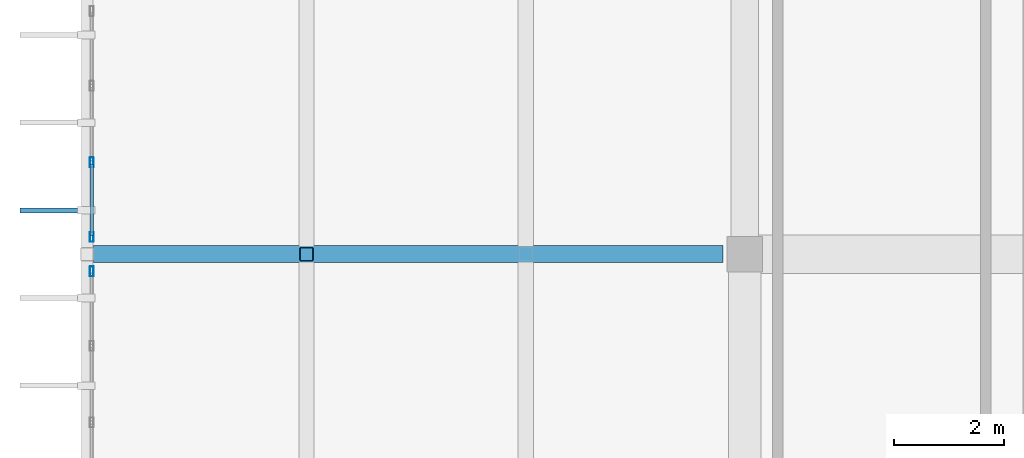
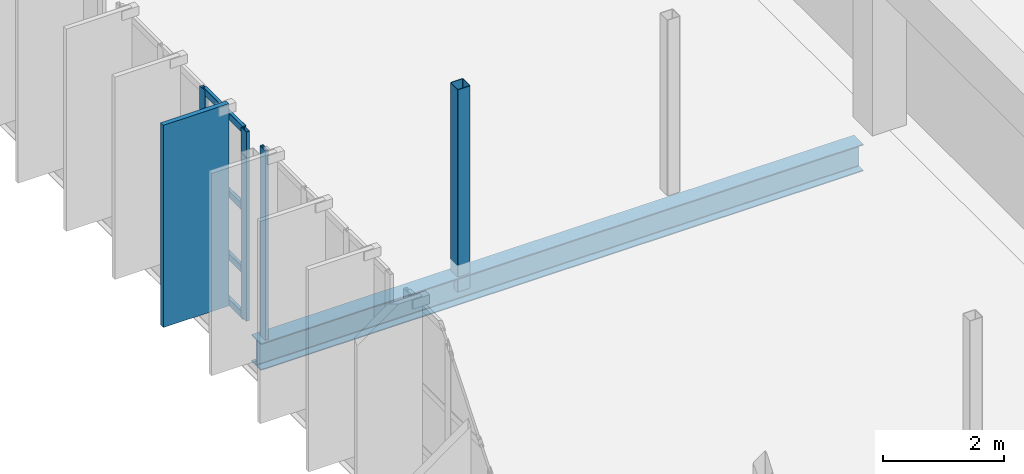
# One storey, part 25 of 80: 9 members, 1 beam, 2 elements without a shape of their own.
"""IFC4 building model written with IfcOpenShell, lengths in metres."""

from ifc_helpers import new_model, si_unit, direction, frame, origin, origin_2d, place, context, subcontext, project, spatial, rectangle, hollow_rectangle, i_section, extrude, material, material_profile, profile_set, type_object, element, aggregate, save


model = new_model("IFC4")

# Units and contexts
model_context = context("Model", 3, precision=1e-05, world=origin(), true_north=direction((0.0, 1.0)))
body_context = subcontext(model_context, "Body", "Model", "MODEL_VIEW")
ifc_project = project(units=[si_unit("LENGTHUNIT", "METRE"), si_unit("AREAUNIT", "SQUARE_METRE"), si_unit("VOLUMEUNIT", "CUBIC_METRE"), si_unit("PLANEANGLEUNIT", "RADIAN"), si_unit("MASSUNIT", "GRAM", prefix="KILO")], contexts=[model_context])

# Site, building, storey
site_placement = place(None, origin())
site = spatial("IfcSite", under=ifc_project, at=site_placement, CompositionType="ELEMENT")
building_placement = place(site_placement, origin())
building = spatial("IfcBuilding", under=site, at=building_placement, Name="Miravela Opera House", CompositionType="ELEMENT")
storey_placement = place(building_placement, frame((0.0, 0.0, 17.679931640625)))
storey = spatial("IfcBuildingStorey", under=building, at=storey_placement, Name="L04", CompositionType="ELEMENT", Elevation=17.679931640625)

# Curtain wall, member
ifc_material_1 = material(Name="Anodised architectural bronze aluminium 6063-T6", Category="aluminium")
curtain_wall_type = type_object("IfcCurtainWallType", Name="ARC-CW-02", PredefinedType="NOTDEFINED", material=ifc_material_1)
curtain_wall_1_placement = place(storey_placement, origin())
curtain_wall_1 = element("IfcCurtainWall", 1, at=curtain_wall_1_placement, inside=storey, type_object=curtain_wall_type, Name="Cantilever West Wrapper Glazing B4 CW-L04-030", PredefinedType="NOTDEFINED")
ifc_material_profile_1 = material_profile(ifc_material_1, hollow_rectangle(XDim=0.06494140625, YDim=0.179931640625, WallThickness=0.00390625, InnerFilletRadius=0.001953125, OuterFilletRadius=0.00390625, at=origin_2d()), Name="CWM-65X180")
ifc_profile_set_1 = profile_set([ifc_material_profile_1])
member_type_1 = type_object("IfcMemberType", Name="ARC-CWM-180", PredefinedType="MULLION", material=ifc_profile_set_1)
member_1_placement = place(storey_placement, frame((15.080078125, 55.6875, 0.0), z_axis=(0.0, 0.0, 1.0), x_axis=(-1.0, 0.0, 0.0)))
member_1 = element("IfcMember", 2, at=member_1_placement, type_object=member_type_1, Name="CW-02 mullion 4", PredefinedType="MULLION", context=body_context, shape_type="SweptSolid", body=[
    extrude(hollow_rectangle(XDim=0.06494140625, YDim=0.179931640625, WallThickness=0.00390625, InnerFilletRadius=0.001953125, OuterFilletRadius=0.00390625, at=origin_2d()), origin(), (0.0, 0.0, 1.0), 3.820068359375),
])
aggregate(curtain_wall_1, [member_1])

# Curtain wall, members
curtain_wall_2_placement = place(storey_placement, origin())
curtain_wall_2 = element("IfcCurtainWall", 3, at=curtain_wall_2_placement, inside=storey, type_object=curtain_wall_type, Name="Cantilever West Wrapper Glazing B5 CW-L04-031", PredefinedType="NOTDEFINED")
member_2_placement = place(storey_placement, frame((15.080078125, 56.3125, 0.0), z_axis=(0.0, 0.0, 1.0), x_axis=(-1.0, 0.0, 0.0)))
member_2 = element("IfcMember", 4, at=member_2_placement, type_object=member_type_1, Name="CW-02 mullion 1", PredefinedType="MULLION", context=body_context, shape_type="SweptSolid", body=[
    extrude(hollow_rectangle(XDim=0.06494140625, YDim=0.179931640625, WallThickness=0.00390625, InnerFilletRadius=0.001953125, OuterFilletRadius=0.00390625, at=origin_2d()), origin(), (0.0, 0.0, 1.0), 3.820068359375),
])
member_3_placement = place(storey_placement, frame((15.080078125, 57.6767578125, 0.0), z_axis=(0.0, 0.0, 1.0), x_axis=(-1.0, 0.0, 0.0)))
member_3 = element("IfcMember", 5, at=member_3_placement, type_object=member_type_1, Name="CW-02 mullion 2", PredefinedType="MULLION", context=body_context, shape_type="SweptSolid", body=[
    extrude(hollow_rectangle(XDim=0.06494140625, YDim=0.179931640625, WallThickness=0.00390625, InnerFilletRadius=0.001953125, OuterFilletRadius=0.00390625, at=origin_2d()), origin(), (0.0, 0.0, 1.0), 3.820068359375),
])
ifc_material_profile_2 = material_profile(ifc_material_1, hollow_rectangle(XDim=0.06494140625, YDim=0.139892578125, WallThickness=0.00390625, InnerFilletRadius=0.001953125, OuterFilletRadius=0.00390625, at=origin_2d()), Name="CWT-65X140")
ifc_profile_set_2 = profile_set([ifc_material_profile_2])
member_type_2 = type_object("IfcMemberType", Name="ARC-CWT-140", PredefinedType="USERDEFINED", material=ifc_profile_set_2)
member_4_placement = place(storey_placement, frame((15.080078125, 56.344970703125, 0.032470703125), z_axis=(0.0, 1.0, 0.0), x_axis=(-1.0, 0.0, 0.0)))
member_4 = element("IfcMember", 6, at=member_4_placement, type_object=member_type_2, Name="CW-02 transom 1.1", ObjectType="TRANSOM", PredefinedType="USERDEFINED", context=body_context, shape_type="SweptSolid", body=[
    extrude(hollow_rectangle(XDim=0.06494140625, YDim=0.139892578125, WallThickness=0.00390625, InnerFilletRadius=0.001953125, OuterFilletRadius=0.00390625, at=origin_2d()), origin(), (0.0, 0.0, 1.0), 1.29931640625),
])
member_5_placement = place(storey_placement, frame((15.080078125, 56.344970703125, 0.949951171875), z_axis=(0.0, 1.0, 0.0), x_axis=(-1.0, 0.0, 0.0)))
member_5 = element("IfcMember", 7, at=member_5_placement, type_object=member_type_2, Name="CW-02 transom 1.2", ObjectType="TRANSOM", PredefinedType="USERDEFINED", context=body_context, shape_type="SweptSolid", body=[
    extrude(hollow_rectangle(XDim=0.06494140625, YDim=0.139892578125, WallThickness=0.00390625, InnerFilletRadius=0.001953125, OuterFilletRadius=0.00390625, at=origin_2d()), origin(), (0.0, 0.0, 1.0), 1.29931640625),
])
member_6_placement = place(storey_placement, frame((15.080078125, 56.344970703125, 2.215576171875), z_axis=(0.0, 1.0, 0.0), x_axis=(-1.0, 0.0, 0.0)))
member_6 = element("IfcMember", 8, at=member_6_placement, type_object=member_type_2, Name="CW-02 transom 1.3", ObjectType="TRANSOM", PredefinedType="USERDEFINED", context=body_context, shape_type="SweptSolid", body=[
    extrude(hollow_rectangle(XDim=0.06494140625, YDim=0.139892578125, WallThickness=0.00390625, InnerFilletRadius=0.001953125, OuterFilletRadius=0.00390625, at=origin_2d()), origin(), (0.0, 0.0, 1.0), 1.29931640625),
])
member_7_placement = place(storey_placement, frame((15.080078125, 56.344970703125, 3.78759765625), z_axis=(0.0, 1.0, 0.0), x_axis=(-1.0, 0.0, 0.0)))
member_7 = element("IfcMember", 9, at=member_7_placement, type_object=member_type_2, Name="CW-02 transom 1.4", ObjectType="TRANSOM", PredefinedType="USERDEFINED", context=body_context, shape_type="SweptSolid", body=[
    extrude(hollow_rectangle(XDim=0.06494140625, YDim=0.139892578125, WallThickness=0.00390625, InnerFilletRadius=0.001953125, OuterFilletRadius=0.00390625, at=origin_2d()), origin(), (0.0, 0.0, 1.0), 1.29931640625),
])
aggregate(curtain_wall_2, [member_2, member_3, member_4, member_5, member_6, member_7])

# Member
ifc_material_profile_3 = material_profile(ifc_material_1, rectangle(XDim=0.090087890625, YDim=1.25, at=origin_2d()), Name="FIN-1250X90")
ifc_profile_set_3 = profile_set([ifc_material_profile_3])
member_type_3 = type_object("IfcMemberType", Name="ARC-FIN-1250", PredefinedType="USERDEFINED", material=ifc_profile_set_3)
member_8_placement = place(storey_placement, frame((14.39501953125, 56.800048828125, 0.0), z_axis=(0.0, 0.0, 1.0), x_axis=(0.0, 1.0, 0.0)))
element("IfcMember", 10, at=member_8_placement, inside=storey, type_object=member_type_3, Name="Auditorium Wrapper Bronze Solar Fin FIN-L04-WEST-0085", ObjectType="FIN", PredefinedType="USERDEFINED", context=body_context, shape_type="SweptSolid", body=[
    extrude(rectangle(XDim=0.090087890625, YDim=1.25, at=origin_2d()), origin(), (0.0, 0.0, 1.0), 4.080078125),
])

# Beam
ifc_material_2 = material(Name="Structural steel ASTM A992 Gr. 50", Category="steel")
ifc_material_profile_4 = material_profile(ifc_material_2, i_section(OverallWidth=0.31201171875, OverallDepth=0.54296875, WebThickness=0.0126953125, FlangeThickness=0.020263671875, FilletRadius=0.01611328125, at=origin_2d()), Name="W530X150")
ifc_profile_set_4 = profile_set([ifc_material_profile_4])
beam_type = type_object("IfcBeamType", Name="STR-BM-W530X150", PredefinedType="BEAM", material=ifc_profile_set_4)
beam_placement = place(storey_placement, frame((15.110107421875, 56.0, -0.511474609375), z_axis=(1.0, 0.0, 0.0), x_axis=(0.0, 1.0, 0.0)))
element("IfcBeam", 11, at=beam_placement, inside=storey, type_object=beam_type, Name="Cantilever Chord L04 T3", PredefinedType="BEAM", context=body_context, shape_type="SweptSolid", body=[
    extrude(i_section(OverallWidth=0.31201171875, OverallDepth=0.54296875, WebThickness=0.0126953125, FlangeThickness=0.020263671875, FilletRadius=0.01611328125, at=origin_2d()), origin(), (0.0, 0.0, 1.0), 11.489990234375),
])

# Member
ifc_material_3 = material(Name="Hollow structural steel ASTM A500 Gr. C", Category="steel")
ifc_material_profile_5 = material_profile(ifc_material_3, hollow_rectangle(XDim=0.25, YDim=0.25, WallThickness=0.011962890625, InnerFilletRadius=0.011962890625, OuterFilletRadius=0.02392578125, at=origin_2d()), Name="HSS250X250X12")
ifc_profile_set_5 = profile_set([ifc_material_profile_5])
member_type_4 = type_object("IfcMemberType", Name="STR-MEM-CANT-POST2", PredefinedType="POST", material=ifc_profile_set_5)
member_9_placement = place(storey_placement, frame((19.0, 56.0, -0.5400390625), z_axis=(0.0, 0.0, 1.0), x_axis=(1.0, 0.0, 0.0)))
element("IfcMember", 12, at=member_9_placement, inside=storey, type_object=member_type_4, Name="Upper Wrapper Truss Post L04 X=19.0", PredefinedType="POST", context=body_context, shape_type="SweptSolid", body=[
    extrude(hollow_rectangle(XDim=0.25, YDim=0.25, WallThickness=0.011962890625, InnerFilletRadius=0.011962890625, OuterFilletRadius=0.02392578125, at=origin_2d()), origin(), (0.0, 0.0, 1.0), 4.080078125),
])

save(model, "model.ifc")
